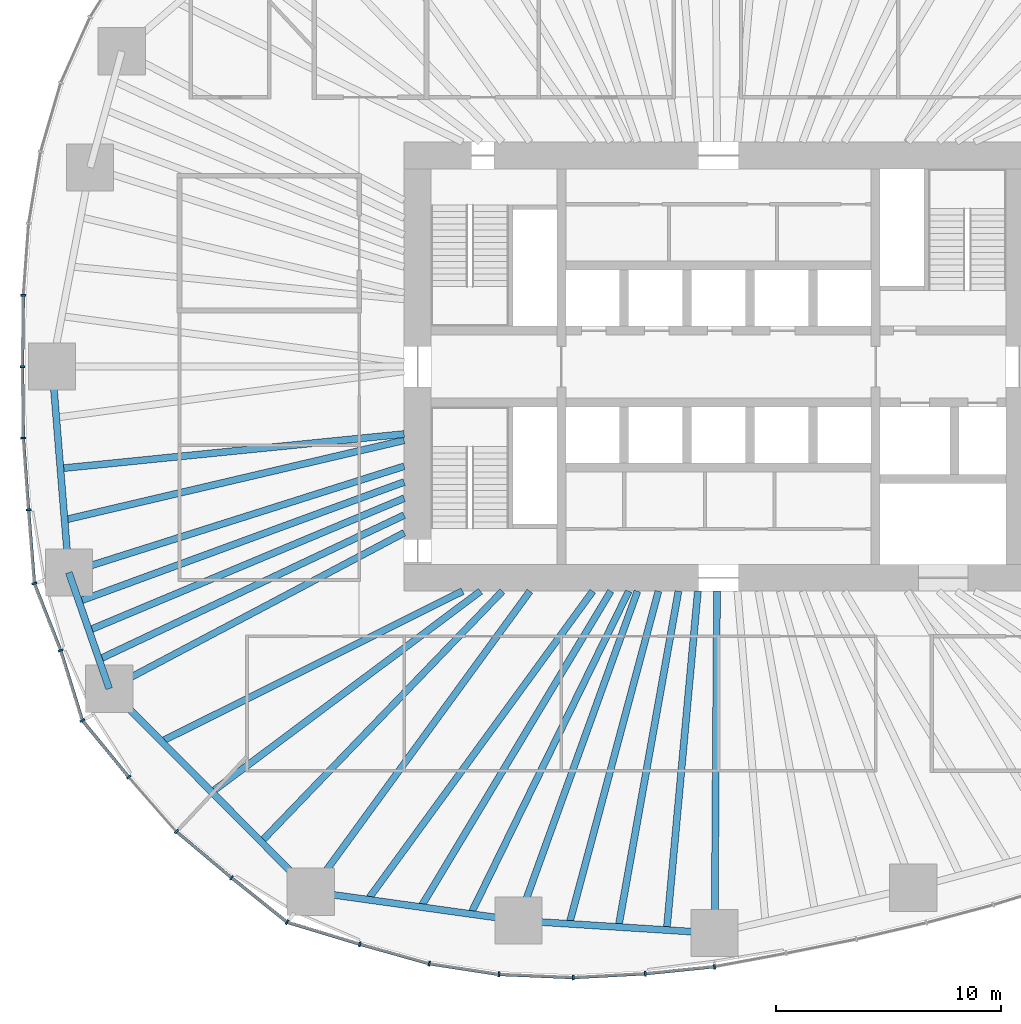
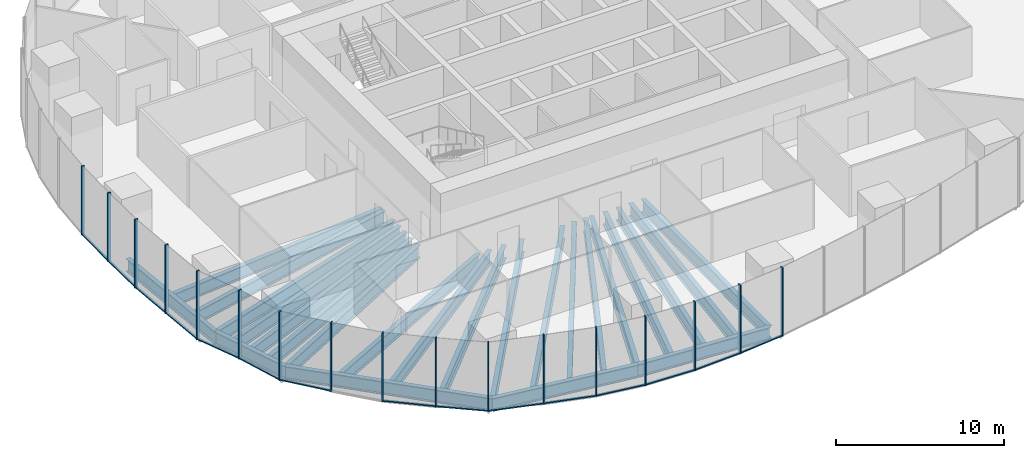
# One storey, part 2 of 20: 32 members, 24 beams, 7 elements without a shape of their own.
"""IFC4 building model written with IfcOpenShell, lengths in metres."""

from ifc_helpers import new_model, si_unit, direction, frame, origin, origin_2d, place, context, subcontext, project, spatial, rectangle, i_section, extrude, material, material_profile, profile_set, type_object, element, aggregate, save


model = new_model("IFC4")

# Units and contexts
model_context = context("Model", 3, precision=1e-05, world=origin(), true_north=direction((0.0, 1.0)))
body_context = subcontext(model_context, "Body", "Model", "MODEL_VIEW")
ifc_project = project(units=[si_unit("LENGTHUNIT", "METRE"), si_unit("AREAUNIT", "SQUARE_METRE"), si_unit("VOLUMEUNIT", "CUBIC_METRE"), si_unit("PLANEANGLEUNIT", "RADIAN"), si_unit("MASSUNIT", "GRAM", prefix="KILO")], contexts=[model_context])

# Site, building, storey
site_placement = place(None, origin())
site = spatial("IfcSite", under=ifc_project, at=site_placement, CompositionType="ELEMENT")
building_placement = place(site_placement, origin())
building = spatial("IfcBuilding", under=site, at=building_placement, Name="Ghaith Harvest Tower", CompositionType="ELEMENT")
storey_placement = place(building_placement, frame((0.0, 0.0, 45.0)))
storey = spatial("IfcBuildingStorey", under=building, at=storey_placement, Name="L09", CompositionType="ELEMENT", Elevation=45.0)

# Curtain wall, member
ifc_material_1 = material(Name="Black anodised aluminium and fritted glass", Category="aluminium")
curtain_wall_type = type_object("IfcCurtainWallType", Name="CW-F CURTAIN WALL", PredefinedType="NOTDEFINED", material=ifc_material_1)
curtain_wall_1_placement = place(storey_placement, origin())
curtain_wall_1 = element("IfcCurtainWall", 1, at=curtain_wall_1_placement, inside=storey, type_object=curtain_wall_type, Name="Curtain wall CW-F bay 10 L09", PredefinedType="NOTDEFINED")
ifc_material_2 = material(Name="Aluminium, black anodised", Category="aluminium")
ifc_material_profile_1 = material_profile(ifc_material_2, rectangle(XDim=0.080078125, YDim=0.219970703125, at=origin_2d()), Name="CW-F MULLION 80x220")
ifc_profile_set_1 = profile_set([ifc_material_profile_1], Name="Aluminium, black anodised")
member_type_1 = type_object("IfcMemberType", Name="CW-F MULLION 80x220", PredefinedType="MULLION", material=ifc_profile_set_1)
member_1_placement = place(storey_placement, frame((-30.95654296875, 3.177978515625, 0.0), z_axis=(0.0, 0.0, 1.0), x_axis=(-0.042427007767, -0.999099569118, 0.0)))
member_1 = element("IfcMember", 2, at=member_1_placement, type_object=member_type_1, Name="CW-F mullion 3 bay 10 L09", PredefinedType="MULLION", context=body_context, shape_type="SweptSolid", body=[
    extrude(rectangle(XDim=0.080078125, YDim=0.219970703125, at=origin_2d()), origin(), (0.0, 0.0, 1.0), 5.0),
])

# Curtain wall, members
curtain_wall_2_placement = place(storey_placement, origin())
curtain_wall_2 = element("IfcCurtainWall", 3, at=curtain_wall_2_placement, inside=storey, type_object=curtain_wall_type, Name="Curtain wall CW-F bay 11 L09", PredefinedType="NOTDEFINED")
member_2_placement = place(storey_placement, frame((-30.9951171875, 0.0, 0.0), z_axis=(0.0, 0.0, 1.0), x_axis=(1.4e-10, -1.0, 0.0)))
member_2 = element("IfcMember", 4, at=member_2_placement, type_object=member_type_1, Name="CW-F mullion 1 bay 11 L09", PredefinedType="MULLION", context=body_context, shape_type="SweptSolid", body=[
    extrude(rectangle(XDim=0.080078125, YDim=0.219970703125, at=origin_2d()), origin(), (0.0, 0.0, 1.0), 5.0),
])
member_3_placement = place(storey_placement, frame((-30.95654296875, -3.177978515625, 0.0), z_axis=(0.0, 0.0, 1.0), x_axis=(0.042427007872, -0.999099569114, 0.0)))
member_3 = element("IfcMember", 5, at=member_3_placement, type_object=member_type_1, Name="CW-F mullion 2 bay 11 L09", PredefinedType="MULLION", context=body_context, shape_type="SweptSolid", body=[
    extrude(rectangle(XDim=0.080078125, YDim=0.219970703125, at=origin_2d()), origin(), (0.0, 0.0, 1.0), 5.0),
])
member_4_placement = place(storey_placement, frame((-30.724365234375, -6.37548828125, 0.0), z_axis=(0.0, 0.0, 1.0), x_axis=(0.07568573288, -0.997131721408, 0.0)))
member_4 = element("IfcMember", 6, at=member_4_placement, type_object=member_type_1, Name="CW-F mullion 3 bay 11 L09", PredefinedType="MULLION", context=body_context, shape_type="SweptSolid", body=[
    extrude(rectangle(XDim=0.080078125, YDim=0.219970703125, at=origin_2d()), origin(), (0.0, 0.0, 1.0), 5.0),
])

curtain_wall_3_placement = place(storey_placement, origin())
curtain_wall_3 = element("IfcCurtainWall", 7, at=curtain_wall_3_placement, inside=storey, type_object=curtain_wall_type, Name="Curtain wall CW-F bay 12 L09", PredefinedType="NOTDEFINED")
member_5_placement = place(storey_placement, frame((-30.46484375, -9.65478515625, 0.0), z_axis=(0.0, 0.0, 1.0), x_axis=(0.222967363441, -0.974825910017, 0.0)))
member_5 = element("IfcMember", 8, at=member_5_placement, type_object=member_type_1, Name="CW-F mullion 1 bay 12 L09", PredefinedType="MULLION", context=body_context, shape_type="SweptSolid", body=[
    extrude(rectangle(XDim=0.080078125, YDim=0.219970703125, at=origin_2d()), origin(), (0.0, 0.0, 1.0), 5.0),
])
member_6_placement = place(storey_placement, frame((-29.29248046875, -12.63525390625, 0.0), z_axis=(0.0, 0.0, 1.0), x_axis=(0.330700518925, -0.943735750506, 0.0)))
member_6 = element("IfcMember", 9, at=member_6_placement, type_object=member_type_1, Name="CW-F mullion 2 bay 12 L09", PredefinedType="MULLION", context=body_context, shape_type="SweptSolid", body=[
    extrude(rectangle(XDim=0.080078125, YDim=0.219970703125, at=origin_2d()), origin(), (0.0, 0.0, 1.0), 5.0),
])
member_7_placement = place(storey_placement, frame((-28.3271484375, -15.7548828125, 0.0), z_axis=(0.0, 0.0, 1.0), x_axis=(0.473265082527, -0.880920065421, 0.0)))
member_7 = element("IfcMember", 10, at=member_7_placement, type_object=member_type_1, Name="CW-F mullion 3 bay 12 L09", PredefinedType="MULLION", context=body_context, shape_type="SweptSolid", body=[
    extrude(rectangle(XDim=0.080078125, YDim=0.219970703125, at=origin_2d()), origin(), (0.0, 0.0, 1.0), 5.0),
])

curtain_wall_4_placement = place(storey_placement, origin())
curtain_wall_4 = element("IfcCurtainWall", 11, at=curtain_wall_4_placement, inside=storey, type_object=curtain_wall_type, Name="Curtain wall CW-F bay 13 L09", PredefinedType="NOTDEFINED")
member_8_placement = place(storey_placement, frame((-26.26318359375, -18.274169921875, 0.0), z_axis=(0.0, 0.0, 1.0), x_axis=(0.646523538748, -0.762894038412, 0.0)))
member_8 = element("IfcMember", 12, at=member_8_placement, type_object=member_type_1, Name="CW-F mullion 1 bay 13 L09", PredefinedType="MULLION", context=body_context, shape_type="SweptSolid", body=[
    extrude(rectangle(XDim=0.080078125, YDim=0.219970703125, at=origin_2d()), origin(), (0.0, 0.0, 1.0), 5.0),
])
member_9_placement = place(storey_placement, frame((-24.139404296875, -20.696533203125, 0.0), z_axis=(0.0, 0.0, 1.0), x_axis=(0.714663248554, -0.699468684907, 0.0)))
member_9 = element("IfcMember", 13, at=member_9_placement, type_object=member_type_1, Name="CW-F mullion 2 bay 13 L09", PredefinedType="MULLION", context=body_context, shape_type="SweptSolid", body=[
    extrude(rectangle(XDim=0.080078125, YDim=0.219970703125, at=origin_2d()), origin(), (0.0, 0.0, 1.0), 5.0),
])
member_10_placement = place(storey_placement, frame((-21.681640625, -22.758056640625, 0.0), z_axis=(0.0, 0.0, 1.0), x_axis=(0.773138721505, -0.634236956751, 0.0)))
member_10 = element("IfcMember", 14, at=member_10_placement, type_object=member_type_1, Name="CW-F mullion 3 bay 13 L09", PredefinedType="MULLION", context=body_context, shape_type="SweptSolid", body=[
    extrude(rectangle(XDim=0.080078125, YDim=0.219970703125, at=origin_2d()), origin(), (0.0, 0.0, 1.0), 5.0),
])

curtain_wall_5_placement = place(storey_placement, origin())
curtain_wall_5 = element("IfcCurtainWall", 15, at=curtain_wall_5_placement, inside=storey, type_object=curtain_wall_type, Name="Curtain wall CW-F bay 14 L09", PredefinedType="NOTDEFINED")
member_11_placement = place(storey_placement, frame((-19.212646484375, -24.73828125, 0.0), z_axis=(0.0, 0.0, 1.0), x_axis=(0.887912253774, -0.460012858079, 0.0)))
member_11 = element("IfcMember", 16, at=member_11_placement, type_object=member_type_1, Name="CW-F mullion 1 bay 14 L09", PredefinedType="MULLION", context=body_context, shape_type="SweptSolid", body=[
    extrude(rectangle(XDim=0.080078125, YDim=0.219970703125, at=origin_2d()), origin(), (0.0, 0.0, 1.0), 5.0),
])
member_12_placement = place(storey_placement, frame((-15.97119140625, -25.716552734375, 0.0), z_axis=(0.0, 0.0, 1.0), x_axis=(0.960008876539, -0.279969564356, 0.0)))
member_12 = element("IfcMember", 17, at=member_12_placement, type_object=member_type_1, Name="CW-F mullion 2 bay 14 L09", PredefinedType="MULLION", context=body_context, shape_type="SweptSolid", body=[
    extrude(rectangle(XDim=0.080078125, YDim=0.219970703125, at=origin_2d()), origin(), (0.0, 0.0, 1.0), 5.0),
])
member_13_placement = place(storey_placement, frame((-12.880615234375, -26.5849609375, 0.0), z_axis=(0.0, 0.0, 1.0), x_axis=(0.977207016024, -0.212288595628, 0.0)))
member_13 = element("IfcMember", 18, at=member_13_placement, type_object=member_type_1, Name="CW-F mullion 3 bay 14 L09", PredefinedType="MULLION", context=body_context, shape_type="SweptSolid", body=[
    extrude(rectangle(XDim=0.080078125, YDim=0.219970703125, at=origin_2d()), origin(), (0.0, 0.0, 1.0), 5.0),
])

curtain_wall_6_placement = place(storey_placement, origin())
curtain_wall_6 = element("IfcCurtainWall", 19, at=curtain_wall_6_placement, inside=storey, type_object=curtain_wall_type, Name="Curtain wall CW-F bay 15 L09", PredefinedType="NOTDEFINED")
member_14_placement = place(storey_placement, frame((-9.7744140625, -27.062744140625, 0.0), z_axis=(0.0, 0.0, 1.0), x_axis=(0.995408459417, -0.095718331168, 0.0)))
member_14 = element("IfcMember", 20, at=member_14_placement, type_object=member_type_1, Name="CW-F mullion 1 bay 15 L09", PredefinedType="MULLION", context=body_context, shape_type="SweptSolid", body=[
    extrude(rectangle(XDim=0.080078125, YDim=0.219970703125, at=origin_2d()), origin(), (0.0, 0.0, 1.0), 5.0),
])
member_15_placement = place(storey_placement, frame((-6.465087890625, -27.20166015625, 0.0), z_axis=(0.0, 0.0, 1.0), x_axis=(0.999987206373, 0.005058368251, 0.0)))
member_15 = element("IfcMember", 21, at=member_15_placement, type_object=member_type_1, Name="CW-F mullion 2 bay 15 L09", PredefinedType="MULLION", context=body_context, shape_type="SweptSolid", body=[
    extrude(rectangle(XDim=0.080078125, YDim=0.219970703125, at=origin_2d()), origin(), (0.0, 0.0, 1.0), 5.0),
])
member_16_placement = place(storey_placement, frame((-3.261962890625, -27.02978515625, 0.0), z_axis=(0.0, 0.0, 1.0), x_axis=(0.997037536276, 0.07691652135, 0.0)))
member_16 = element("IfcMember", 22, at=member_16_placement, type_object=member_type_1, Name="CW-F mullion 3 bay 15 L09", PredefinedType="MULLION", context=body_context, shape_type="SweptSolid", body=[
    extrude(rectangle(XDim=0.080078125, YDim=0.219970703125, at=origin_2d()), origin(), (0.0, 0.0, 1.0), 5.0),
])

# Curtain wall, member
curtain_wall_7_placement = place(storey_placement, origin())
curtain_wall_7 = element("IfcCurtainWall", 23, at=curtain_wall_7_placement, inside=storey, type_object=curtain_wall_type, Name="Curtain wall CW-F bay 16 L09", PredefinedType="NOTDEFINED")
member_17_placement = place(storey_placement, frame((-0.182861328125, -26.717041015625, 0.0), z_axis=(0.0, 0.0, 1.0), x_axis=(0.98971187144, 0.143074845907, 0.0)))
member_17 = element("IfcMember", 24, at=member_17_placement, type_object=member_type_1, Name="CW-F mullion 1 bay 16 L09", PredefinedType="MULLION", context=body_context, shape_type="SweptSolid", body=[
    extrude(rectangle(XDim=0.080078125, YDim=0.219970703125, at=origin_2d()), origin(), (0.0, 0.0, 1.0), 5.0),
])
aggregate(curtain_wall_7, [member_17])

# Member
ifc_material_3 = material(Name="Aluminium, black anodised", Category="aluminium")
ifc_material_profile_2 = material_profile(ifc_material_3, rectangle(XDim=0.139892578125, YDim=0.080078125, at=origin_2d()), Name="CW-F TRANSOM 140x80")
ifc_profile_set_2 = profile_set([ifc_material_profile_2], Name="Aluminium, black anodised")
member_type_2 = type_object("IfcMemberType", Name="CW-F TRANSOM 140x80", PredefinedType="USERDEFINED", material=ifc_profile_set_2)
member_18_placement = place(storey_placement, frame((-30.95703125, 3.137939453125, 0.0400390625), z_axis=(-0.012135602457, -0.999926360865, 0.0), x_axis=(0.999926360865, -0.012135602457, 0.0)))
member_18 = element("IfcMember", 25, at=member_18_placement, type_object=member_type_2, Name="CW-F transom 3 bay 10 L09", ObjectType="TRANSOM", PredefinedType="USERDEFINED", context=body_context, shape_type="SweptSolid", body=[
    extrude(rectangle(XDim=0.139892578125, YDim=0.080078125, at=origin_2d()), origin(), (0.0, 0.0, 1.0), 3.09814453125),
])

aggregate(curtain_wall_1, [member_1, member_18])

member_19_placement = place(storey_placement, frame((-30.99462890625, -0.0400390625, 0.0400390625), z_axis=(0.012135602457, -0.999926360865, 0.0), x_axis=(0.999926360865, 0.012135602457, 0.0)))
member_19 = element("IfcMember", 26, at=member_19_placement, type_object=member_type_2, Name="CW-F transom 1 bay 11 L09", ObjectType="TRANSOM", PredefinedType="USERDEFINED", context=body_context, shape_type="SweptSolid", body=[
    extrude(rectangle(XDim=0.139892578125, YDim=0.080078125, at=origin_2d()), origin(), (0.0, 0.0, 1.0), 3.09814453125),
])

member_20_placement = place(storey_placement, frame((-30.95361328125, -3.2177734375, 0.0400390625), z_axis=(0.072473547161, -0.997370334912, 0.0), x_axis=(0.997370334912, 0.072473547161, 0.0)))
member_20 = element("IfcMember", 27, at=member_20_placement, type_object=member_type_2, Name="CW-F transom 2 bay 11 L09", ObjectType="TRANSOM", PredefinedType="USERDEFINED", context=body_context, shape_type="SweptSolid", body=[
    extrude(rectangle(XDim=0.139892578125, YDim=0.080078125, at=origin_2d()), origin(), (0.0, 0.0, 1.0), 3.126220703125),
])

member_21_placement = place(storey_placement, frame((-30.72119140625, -6.415283203125, 0.0400390625), z_axis=(0.078877539502, -0.996884313129, 0.0), x_axis=(0.996884313129, 0.078877539502, 0.0)))
member_21 = element("IfcMember", 28, at=member_21_placement, type_object=member_type_2, Name="CW-F transom 3 bay 11 L09", ObjectType="TRANSOM", PredefinedType="USERDEFINED", context=body_context, shape_type="SweptSolid", body=[
    extrude(rectangle(XDim=0.139892578125, YDim=0.080078125, at=origin_2d()), origin(), (0.0, 0.0, 1.0), 3.209716796875),
])

aggregate(curtain_wall_2, [member_2, member_19, member_3, member_20, member_4, member_21])

member_22_placement = place(storey_placement, frame((-30.4501953125, -9.692138671875, 0.0400390625), z_axis=(0.366046617161, -0.93059651518, 0.0), x_axis=(0.93059651518, 0.366046617161, 0.0)))
member_22 = element("IfcMember", 29, at=member_22_placement, type_object=member_type_2, Name="CW-F transom 1 bay 12 L09", ObjectType="TRANSOM", PredefinedType="USERDEFINED", context=body_context, shape_type="SweptSolid", body=[
    extrude(rectangle(XDim=0.139892578125, YDim=0.080078125, at=origin_2d()), origin(), (0.0, 0.0, 1.0), 3.122802734375),
])

member_23_placement = place(storey_placement, frame((-29.28076171875, -12.673583984375, 0.0400390625), z_axis=(0.295598800908, -0.955312173534, 0.0), x_axis=(0.955312173534, 0.295598800908, 0.0)))
member_23 = element("IfcMember", 30, at=member_23_placement, type_object=member_type_2, Name="CW-F transom 2 bay 12 L09", ObjectType="TRANSOM", PredefinedType="USERDEFINED", context=body_context, shape_type="SweptSolid", body=[
    extrude(rectangle(XDim=0.139892578125, YDim=0.080078125, at=origin_2d()), origin(), (0.0, 0.0, 1.0), 3.185546875),
])

member_24_placement = place(storey_placement, frame((-28.302001953125, -15.785888671875, 0.0400390625), z_axis=(0.633790042943, -0.773505126982, 0.0), x_axis=(0.773505126982, 0.633790042943, 0.0)))
member_24 = element("IfcMember", 31, at=member_24_placement, type_object=member_type_2, Name="CW-F transom 3 bay 12 L09", ObjectType="TRANSOM", PredefinedType="USERDEFINED", context=body_context, shape_type="SweptSolid", body=[
    extrude(rectangle(XDim=0.139892578125, YDim=0.080078125, at=origin_2d()), origin(), (0.0, 0.0, 1.0), 3.1767578125),
])

aggregate(curtain_wall_3, [member_5, member_22, member_6, member_23, member_7, member_24])

member_25_placement = place(storey_placement, frame((-24.10888671875, -20.72216796875, 0.0400390625), z_axis=(0.766144434184, -0.642668426149, 0.0), x_axis=(0.642668426149, 0.766144434184, 0.0)))
member_25 = element("IfcMember", 32, at=member_25_placement, type_object=member_type_2, Name="CW-F transom 2 bay 13 L09", ObjectType="TRANSOM", PredefinedType="USERDEFINED", context=body_context, shape_type="SweptSolid", body=[
    extrude(rectangle(XDim=0.139892578125, YDim=0.080078125, at=origin_2d()), origin(), (0.0, 0.0, 1.0), 3.1279296875),
])

member_26_placement = place(storey_placement, frame((-21.650634765625, -22.783203125, 0.0400390625), z_axis=(0.780181223133, -0.625553562112, 0.0), x_axis=(0.625553562112, 0.780181223133, 0.0)))
member_26 = element("IfcMember", 33, at=member_26_placement, type_object=member_type_2, Name="CW-F transom 3 bay 13 L09", ObjectType="TRANSOM", PredefinedType="USERDEFINED", context=body_context, shape_type="SweptSolid", body=[
    extrude(rectangle(XDim=0.139892578125, YDim=0.080078125, at=origin_2d()), origin(), (0.0, 0.0, 1.0), 3.085205078125),
])

aggregate(curtain_wall_4, [member_8, member_9, member_25, member_10, member_26])

member_27_placement = place(storey_placement, frame((-19.17431640625, -24.749755859375, 0.0400390625), z_axis=(0.957335035376, -0.288980328121, 0.0), x_axis=(0.288980328121, 0.957335035376, 0.0)))
member_27 = element("IfcMember", 34, at=member_27_placement, type_object=member_type_2, Name="CW-F transom 1 bay 14 L09", ObjectType="TRANSOM", PredefinedType="USERDEFINED", context=body_context, shape_type="SweptSolid", body=[
    extrude(rectangle(XDim=0.139892578125, YDim=0.080078125, at=origin_2d()), origin(), (0.0, 0.0, 1.0), 3.305908203125),
])

member_28_placement = place(storey_placement, frame((-15.9326171875, -25.727294921875, 0.0400390625), z_axis=(0.962727128991, -0.270474536888, 0.0), x_axis=(0.270474536888, 0.962727128991, 0.0)))
member_28 = element("IfcMember", 35, at=member_28_placement, type_object=member_type_2, Name="CW-F transom 2 bay 14 L09", ObjectType="TRANSOM", PredefinedType="USERDEFINED", context=body_context, shape_type="SweptSolid", body=[
    extrude(rectangle(XDim=0.139892578125, YDim=0.080078125, at=origin_2d()), origin(), (0.0, 0.0, 1.0), 3.13037109375),
])

member_29_placement = place(storey_placement, frame((-12.841064453125, -26.591064453125, 0.0400390625), z_axis=(0.988378147633, -0.152015253451, 0.0), x_axis=(0.152015253451, 0.988378147633, 0.0)))
member_29 = element("IfcMember", 36, at=member_29_placement, type_object=member_type_2, Name="CW-F transom 3 bay 14 L09", ObjectType="TRANSOM", PredefinedType="USERDEFINED", context=body_context, shape_type="SweptSolid", body=[
    extrude(rectangle(XDim=0.139892578125, YDim=0.080078125, at=origin_2d()), origin(), (0.0, 0.0, 1.0), 3.062744140625),
])

aggregate(curtain_wall_5, [member_11, member_27, member_12, member_28, member_13, member_29])

member_30_placement = place(storey_placement, frame((-9.734375, -27.064453125, 0.0400390625), z_axis=(0.999117688764, -0.04199814281, 0.0), x_axis=(0.04199814281, 0.999117688764, 0.0)))
member_30 = element("IfcMember", 37, at=member_30_placement, type_object=member_type_2, Name="CW-F transom 1 bay 15 L09", ObjectType="TRANSOM", PredefinedType="USERDEFINED", context=body_context, shape_type="SweptSolid", body=[
    extrude(rectangle(XDim=0.139892578125, YDim=0.080078125, at=origin_2d()), origin(), (0.0, 0.0, 1.0), 3.232177734375),
])

member_31_placement = place(storey_placement, frame((-6.42529296875, -27.19970703125, 0.0400390625), z_axis=(0.99856142387, 0.053619798202, 0.0), x_axis=(-0.053619798202, 0.99856142387, 0.0)))
member_31 = element("IfcMember", 38, at=member_31_placement, type_object=member_type_2, Name="CW-F transom 2 bay 15 L09", ObjectType="TRANSOM", PredefinedType="USERDEFINED", context=body_context, shape_type="SweptSolid", body=[
    extrude(rectangle(XDim=0.139892578125, YDim=0.080078125, at=origin_2d()), origin(), (0.0, 0.0, 1.0), 3.1279296875),
])

member_32_placement = place(storey_placement, frame((-3.22216796875, -27.02587890625, 0.0400390625), z_axis=(0.994880435036, 0.101058992587, 0.0), x_axis=(-0.101058992587, 0.994880435036, 0.0)))
member_32 = element("IfcMember", 39, at=member_32_placement, type_object=member_type_2, Name="CW-F transom 3 bay 15 L09", ObjectType="TRANSOM", PredefinedType="USERDEFINED", context=body_context, shape_type="SweptSolid", body=[
    extrude(rectangle(XDim=0.139892578125, YDim=0.080078125, at=origin_2d()), origin(), (0.0, 0.0, 1.0), 3.014892578125),
])

aggregate(curtain_wall_6, [member_14, member_30, member_15, member_31, member_16, member_32])

# Beams
ifc_material_4 = material(Name="Steel ASTM A992 Grade 50", Category="steel")
ifc_material_profile_3 = material_profile(ifc_material_4, i_section(OverallWidth=0.306884765625, OverallDepth=0.94189453125, WebThickness=0.022216796875, FlangeThickness=0.039794921875, at=origin_2d()), Name="W920X345")
ifc_profile_set_3 = profile_set([ifc_material_profile_3], Name="Steel ASTM A992 Grade 50")
beam_type_1 = type_object("IfcBeamType", Name="E920-345 W920X345", PredefinedType="SPANDREL", material=ifc_profile_set_3)
beam_1_placement = place(storey_placement, frame((-29.675048828125, 0.0, -0.6708984375), z_axis=(0.081006863421, -0.996713543642, 0.0), x_axis=(0.996713543642, 0.081006863421, 0.0)))
element("IfcBeam", 40, at=beam_1_placement, inside=storey, type_object=beam_type_1, Name="Edge beam E11 L09", PredefinedType="SPANDREL", context=body_context, shape_type="SweptSolid", body=[
    extrude(i_section(OverallWidth=0.306884765625, OverallDepth=0.94189453125, WebThickness=0.022216796875, FlangeThickness=0.039794921875, at=origin_2d()), origin(), (0.0, 0.0, 1.0), 9.1982421875),
])
beam_2_placement = place(storey_placement, frame((-28.929931640625, -9.16796875, -0.6708984375), z_axis=(0.328278550319, -0.944580961803, 0.0), x_axis=(0.944580961803, 0.328278550319, 0.0)))
element("IfcBeam", 41, at=beam_2_placement, inside=storey, type_object=beam_type_1, Name="Edge beam E12 L09", PredefinedType="SPANDREL", context=body_context, shape_type="SweptSolid", body=[
    extrude(i_section(OverallWidth=0.306884765625, OverallDepth=0.94189453125, WebThickness=0.022216796875, FlangeThickness=0.039794921875, at=origin_2d()), origin(), (0.0, 0.0, 1.0), 5.4765625),
])
beam_3_placement = place(storey_placement, frame((-27.132080078125, -14.341064453125, -0.6708984375), z_axis=(0.704562513714, -0.709641926798, 0.0), x_axis=(0.709641926798, 0.704562513714, 0.0)))
element("IfcBeam", 42, at=beam_3_placement, inside=storey, type_object=beam_type_1, Name="Edge beam E13 L09", PredefinedType="SPANDREL", context=body_context, shape_type="SweptSolid", body=[
    extrude(i_section(OverallWidth=0.306884765625, OverallDepth=0.94189453125, WebThickness=0.022216796875, FlangeThickness=0.039794921875, at=origin_2d()), origin(), (0.0, 0.0, 1.0), 12.737060546875),
])
beam_4_placement = place(storey_placement, frame((-18.157958984375, -23.3798828125, -0.6708984375), z_axis=(0.990441143901, -0.137936001352, 0.0), x_axis=(0.137936001352, 0.990441143901, 0.0)))
element("IfcBeam", 43, at=beam_4_placement, inside=storey, type_object=beam_type_1, Name="Edge beam E14 L09", PredefinedType="SPANDREL", context=body_context, shape_type="SweptSolid", body=[
    extrude(i_section(OverallWidth=0.306884765625, OverallDepth=0.94189453125, WebThickness=0.022216796875, FlangeThickness=0.039794921875, at=origin_2d()), origin(), (0.0, 0.0, 1.0), 9.33837890625),
])
beam_5_placement = place(storey_placement, frame((-8.908935546875, -24.66796875, -0.6708984375), z_axis=(0.99797963184, -0.063534671101, 0.0), x_axis=(0.063534671101, 0.99797963184, 0.0)))
element("IfcBeam", 44, at=beam_5_placement, inside=storey, type_object=beam_type_1, Name="Edge beam E15 L09", PredefinedType="SPANDREL", context=body_context, shape_type="SweptSolid", body=[
    extrude(i_section(OverallWidth=0.306884765625, OverallDepth=0.94189453125, WebThickness=0.022216796875, FlangeThickness=0.039794921875, at=origin_2d()), origin(), (0.0, 0.0, 1.0), 8.75341796875),
])
ifc_material_5 = material(Name="Steel ASTM A992 Grade 50", Category="steel")
ifc_material_profile_4 = material_profile(ifc_material_5, i_section(OverallWidth=0.306884765625, OverallDepth=0.94189453125, WebThickness=0.022216796875, FlangeThickness=0.039794921875, at=origin_2d()), Name="W920X345")
ifc_profile_set_4 = profile_set([ifc_material_profile_4], Name="Steel ASTM A992 Grade 50")
beam_type_2 = type_object("IfcBeamType", Name="G920-345 W920X345", PredefinedType="BEAM", material=ifc_profile_set_4)
beam_6_placement = place(storey_placement, frame((-14.0, -4.43701171875, -0.6708984375), z_axis=(-0.953284407194, -0.302074227636, 0.0), x_axis=(0.302074227636, -0.953284407194, 0.0)))
element("IfcBeam", 45, at=beam_6_placement, inside=storey, type_object=beam_type_2, Name="Radial girder G12 L09", PredefinedType="BEAM", context=body_context, shape_type="SweptSolid", body=[
    extrude(i_section(OverallWidth=0.306884765625, OverallDepth=0.94189453125, WebThickness=0.022216796875, FlangeThickness=0.039794921875, at=origin_2d()), origin(), (0.0, 0.0, 1.0), 15.66162109375),
])
beam_7_placement = place(storey_placement, frame((-14.0, -7.39990234375, -0.6708984375), z_axis=(-0.884097171481, -0.467303104397, 0.0), x_axis=(0.467303104397, -0.884097171481, 0.0)))
element("IfcBeam", 46, at=beam_7_placement, inside=storey, type_object=beam_type_2, Name="Radial girder G13 L09", PredefinedType="BEAM", context=body_context, shape_type="SweptSolid", body=[
    extrude(i_section(OverallWidth=0.306884765625, OverallDepth=0.94189453125, WebThickness=0.022216796875, FlangeThickness=0.039794921875, at=origin_2d()), origin(), (0.0, 0.0, 1.0), 14.853759765625),
])
beam_8_placement = place(storey_placement, frame((-8.39990234375, -10.0, -0.6708984375), z_axis=(-0.589246749374, -0.807953134997, 0.0), x_axis=(0.807953134997, -0.589246749374, 0.0)))
element("IfcBeam", 47, at=beam_8_placement, inside=storey, type_object=beam_type_2, Name="Radial girder G14 L09", PredefinedType="BEAM", context=body_context, shape_type="SweptSolid", body=[
    extrude(i_section(OverallWidth=0.306884765625, OverallDepth=0.94189453125, WebThickness=0.022216796875, FlangeThickness=0.039794921875, at=origin_2d()), origin(), (0.0, 0.0, 1.0), 16.560302734375),
])
beam_9_placement = place(storey_placement, frame((-3.61181640625, -10.0, -0.6708984375), z_axis=(-0.339664467784, -0.940546675782, 0.0), x_axis=(0.940546675782, -0.339664467784, 0.0)))
element("IfcBeam", 48, at=beam_9_placement, inside=storey, type_object=beam_type_2, Name="Radial girder G15 L09", PredefinedType="BEAM", context=body_context, shape_type="SweptSolid", body=[
    extrude(i_section(OverallWidth=0.306884765625, OverallDepth=0.94189453125, WebThickness=0.022216796875, FlangeThickness=0.039794921875, at=origin_2d()), origin(), (0.0, 0.0, 1.0), 15.59521484375),
])
beam_10_placement = place(storey_placement, frame((-0.068359375, -10.0, -0.6708984375), z_axis=(-0.006879467722, -0.999976336182, 0.0), x_axis=(0.999976336182, -0.006879467722, 0.0)))
element("IfcBeam", 49, at=beam_10_placement, inside=storey, type_object=beam_type_2, Name="Radial girder G16 L09", PredefinedType="BEAM", context=body_context, shape_type="SweptSolid", body=[
    extrude(i_section(OverallWidth=0.306884765625, OverallDepth=0.94189453125, WebThickness=0.022216796875, FlangeThickness=0.039794921875, at=origin_2d()), origin(), (0.0, 0.0, 1.0), 15.224365234375),
])
ifc_material_6 = material(Name="Steel ASTM A992 Grade 50", Category="steel")
ifc_material_profile_5 = material_profile(ifc_material_6, i_section(OverallWidth=0.31005859375, OverallDepth=0.927001953125, WebThickness=0.019287109375, FlangeThickness=0.031982421875, at=origin_2d()), Name="W920X289")
ifc_profile_set_5 = profile_set([ifc_material_profile_5], Name="Steel ASTM A992 Grade 50")
beam_type_3 = type_object("IfcBeamType", Name="J920-289 W920X289", PredefinedType="JOIST", material=ifc_profile_set_5)
beam_11_placement = place(storey_placement, frame((-14.0, -3.0, -0.66357421875), z_axis=(-0.995023982133, -0.099635711366, 0.0), x_axis=(0.099635711366, -0.995023982133, 0.0)))
element("IfcBeam", 50, at=beam_11_placement, inside=storey, type_object=beam_type_3, Name="Joist J11.2 L09", PredefinedType="JOIST", context=body_context, shape_type="SweptSolid", body=[
    extrude(i_section(OverallWidth=0.31005859375, OverallDepth=0.927001953125, WebThickness=0.019287109375, FlangeThickness=0.031982421875, at=origin_2d()), origin(), (0.0, 0.0, 1.0), 15.38330078125),
])
beam_12_placement = place(storey_placement, frame((-14.0, -3.280517578125, -0.66357421875), z_axis=(-0.973622531394, -0.228164778969, 0.0), x_axis=(0.228164778969, -0.973622531394, 0.0)))
element("IfcBeam", 51, at=beam_12_placement, inside=storey, type_object=beam_type_3, Name="Joist J11.3 L09", PredefinedType="JOIST", context=body_context, shape_type="SweptSolid", body=[
    extrude(i_section(OverallWidth=0.31005859375, OverallDepth=0.927001953125, WebThickness=0.019287109375, FlangeThickness=0.031982421875, at=origin_2d()), origin(), (0.0, 0.0, 1.0), 15.5302734375),
])
beam_13_placement = place(storey_placement, frame((-14.0, -5.137939453125, -0.66357421875), z_axis=(-0.938772784742, -0.344536875569, 0.0), x_axis=(0.344536875569, -0.938772784742, 0.0)))
element("IfcBeam", 52, at=beam_13_placement, inside=storey, type_object=beam_type_3, Name="Joist J12.1 L09", PredefinedType="JOIST", context=body_context, shape_type="SweptSolid", body=[
    extrude(i_section(OverallWidth=0.31005859375, OverallDepth=0.927001953125, WebThickness=0.019287109375, FlangeThickness=0.031982421875, at=origin_2d()), origin(), (0.0, 0.0, 1.0), 15.427734375),
])
beam_14_placement = place(storey_placement, frame((-14.0, -5.862548828125, -0.66357421875), z_axis=(-0.922389547545, -0.386260951404, 0.0), x_axis=(0.386260951404, -0.922389547545, 0.0)))
element("IfcBeam", 53, at=beam_14_placement, inside=storey, type_object=beam_type_3, Name="Joist J12.2 L09", PredefinedType="JOIST", context=body_context, shape_type="SweptSolid", body=[
    extrude(i_section(OverallWidth=0.31005859375, OverallDepth=0.927001953125, WebThickness=0.019287109375, FlangeThickness=0.031982421875, at=origin_2d()), origin(), (0.0, 0.0, 1.0), 15.216796875),
])
beam_15_placement = place(storey_placement, frame((-14.0, -6.614990234375, -0.66357421875), z_axis=(-0.904152605228, -0.427209628239, 0.0), x_axis=(0.427209628239, -0.904152605228, 0.0)))
element("IfcBeam", 54, at=beam_15_placement, inside=storey, type_object=beam_type_3, Name="Joist J12.3 L09", PredefinedType="JOIST", context=body_context, shape_type="SweptSolid", body=[
    extrude(i_section(OverallWidth=0.31005859375, OverallDepth=0.927001953125, WebThickness=0.019287109375, FlangeThickness=0.031982421875, at=origin_2d()), origin(), (0.0, 0.0, 1.0), 15.0263671875),
])
beam_16_placement = place(storey_placement, frame((-11.39990234375, -10.0, -0.66357421875), z_axis=(-0.894746445211, -0.446574516495, 0.0), x_axis=(0.446574516495, -0.894746445211, 0.0)))
element("IfcBeam", 55, at=beam_16_placement, inside=storey, type_object=beam_type_3, Name="Joist J13.1 L09", PredefinedType="JOIST", context=body_context, shape_type="SweptSolid", body=[
    extrude(i_section(OverallWidth=0.31005859375, OverallDepth=0.927001953125, WebThickness=0.019287109375, FlangeThickness=0.031982421875, at=origin_2d()), origin(), (0.0, 0.0, 1.0), 14.977783203125),
])
beam_17_placement = place(storey_placement, frame((-10.60009765625, -10.0, -0.66357421875), z_axis=(-0.800995319048, -0.598670609653, 0.0), x_axis=(0.598670609653, -0.800995319048, 0.0)))
element("IfcBeam", 56, at=beam_17_placement, inside=storey, type_object=beam_type_3, Name="Joist J13.2 L09", PredefinedType="JOIST", context=body_context, shape_type="SweptSolid", body=[
    extrude(i_section(OverallWidth=0.31005859375, OverallDepth=0.927001953125, WebThickness=0.019287109375, FlangeThickness=0.031982421875, at=origin_2d()), origin(), (0.0, 0.0, 1.0), 14.936279296875),
])
beam_18_placement = place(storey_placement, frame((-1.785888671875, -10.0, -0.66357421875), z_axis=(-0.175792307544, -0.984427277461, 0.0), x_axis=(0.984427277461, -0.175792307544, 0.0)))
element("IfcBeam", 57, at=beam_18_placement, inside=storey, type_object=beam_type_3, Name="Joist J15.2 L09", PredefinedType="JOIST", context=body_context, shape_type="SweptSolid", body=[
    extrude(i_section(OverallWidth=0.31005859375, OverallDepth=0.927001953125, WebThickness=0.019287109375, FlangeThickness=0.031982421875, at=origin_2d()), origin(), (0.0, 0.0, 1.0), 15.18798828125),
])
beam_19_placement = place(storey_placement, frame((-0.92041015625, -10.0, -0.66357421875), z_axis=(-0.091651457116, -0.995791147987, 0.0), x_axis=(0.995791147987, -0.091651457116, 0.0)))
element("IfcBeam", 58, at=beam_19_placement, inside=storey, type_object=beam_type_3, Name="Joist J15.3 L09", PredefinedType="JOIST", context=body_context, shape_type="SweptSolid", body=[
    extrude(i_section(OverallWidth=0.31005859375, OverallDepth=0.927001953125, WebThickness=0.019287109375, FlangeThickness=0.031982421875, at=origin_2d()), origin(), (0.0, 0.0, 1.0), 15.151611328125),
])
ifc_material_7 = material(Name="Steel ASTM A992 Grade 50", Category="steel")
ifc_material_profile_6 = material_profile(ifc_material_7, i_section(OverallWidth=0.306884765625, OverallDepth=0.94189453125, WebThickness=0.022216796875, FlangeThickness=0.039794921875, at=origin_2d()), Name="W920X345")
ifc_profile_set_6 = profile_set([ifc_material_profile_6], Name="Steel ASTM A992 Grade 50")
beam_type_4 = type_object("IfcBeamType", Name="J920-345 W920X345", PredefinedType="JOIST", material=ifc_profile_set_6)
beam_20_placement = place(storey_placement, frame((-9.626708984375, -10.0, -0.6708984375), z_axis=(-0.69353836378, -0.720419695709, 0.0), x_axis=(0.720419695709, -0.69353836378, 0.0)))
element("IfcBeam", 59, at=beam_20_placement, inside=storey, type_object=beam_type_4, Name="Joist J13.3 L09", PredefinedType="JOIST", context=body_context, shape_type="SweptSolid", body=[
    extrude(i_section(OverallWidth=0.306884765625, OverallDepth=0.94189453125, WebThickness=0.022216796875, FlangeThickness=0.039794921875, at=origin_2d()), origin(), (0.0, 0.0, 1.0), 15.485107421875),
])
beam_21_placement = place(storey_placement, frame((-5.60009765625, -10.0, -0.6708984375), z_axis=(-0.589160240072, -0.808016219836, 0.0), x_axis=(0.808016219836, -0.589160240072, 0.0)))
element("IfcBeam", 60, at=beam_21_placement, inside=storey, type_object=beam_type_4, Name="Joist J14.1 L09", PredefinedType="JOIST", context=body_context, shape_type="SweptSolid", body=[
    extrude(i_section(OverallWidth=0.306884765625, OverallDepth=0.94189453125, WebThickness=0.022216796875, FlangeThickness=0.039794921875, at=origin_2d()), origin(), (0.0, 0.0, 1.0), 16.997314453125),
])
beam_22_placement = place(storey_placement, frame((-4.800048828125, -10.0, -0.6708984375), z_axis=(-0.515226384897, -0.85705412449, 0.0), x_axis=(0.85705412449, -0.515226384897, 0.0)))
element("IfcBeam", 61, at=beam_22_placement, inside=storey, type_object=beam_type_4, Name="Joist J14.2 L09", PredefinedType="JOIST", context=body_context, shape_type="SweptSolid", body=[
    extrude(i_section(OverallWidth=0.306884765625, OverallDepth=0.94189453125, WebThickness=0.022216796875, FlangeThickness=0.039794921875, at=origin_2d()), origin(), (0.0, 0.0, 1.0), 16.408447265625),
])
beam_23_placement = place(storey_placement, frame((-4.0, -10.0, -0.6708984375), z_axis=(-0.439463806704, -0.898260297797, 0.0), x_axis=(0.898260297797, -0.439463806704, 0.0)))
element("IfcBeam", 62, at=beam_23_placement, inside=storey, type_object=beam_type_4, Name="Joist J14.3 L09", PredefinedType="JOIST", context=body_context, shape_type="SweptSolid", body=[
    extrude(i_section(OverallWidth=0.306884765625, OverallDepth=0.94189453125, WebThickness=0.022216796875, FlangeThickness=0.039794921875, at=origin_2d()), origin(), (0.0, 0.0, 1.0), 16.000244140625),
])
beam_24_placement = place(storey_placement, frame((-2.677978515625, -10.0, -0.6708984375), z_axis=(-0.258693109612, -0.965959561803, 0.0), x_axis=(0.965959561803, -0.258693109612, 0.0)))
element("IfcBeam", 63, at=beam_24_placement, inside=storey, type_object=beam_type_4, Name="Joist J15.1 L09", PredefinedType="JOIST", context=body_context, shape_type="SweptSolid", body=[
    extrude(i_section(OverallWidth=0.306884765625, OverallDepth=0.94189453125, WebThickness=0.022216796875, FlangeThickness=0.039794921875, at=origin_2d()), origin(), (0.0, 0.0, 1.0), 15.333984375),
])

save(model, "model.ifc")
